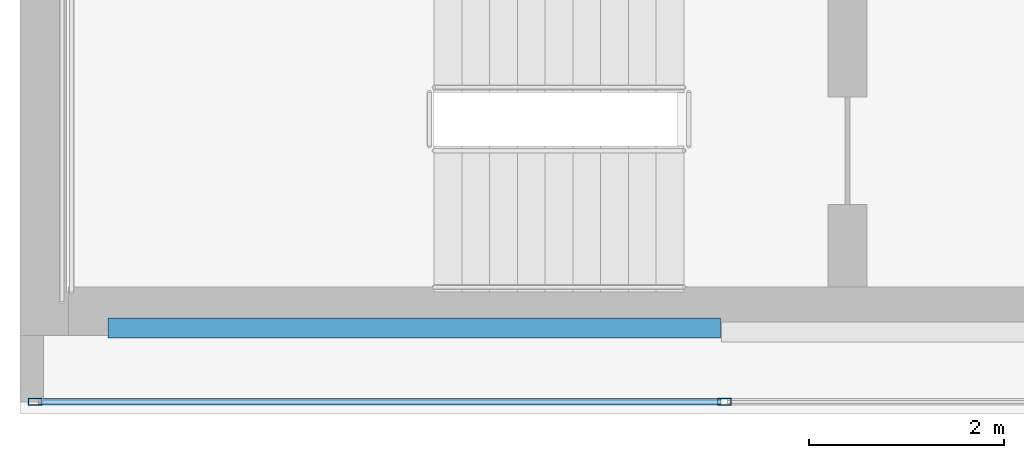
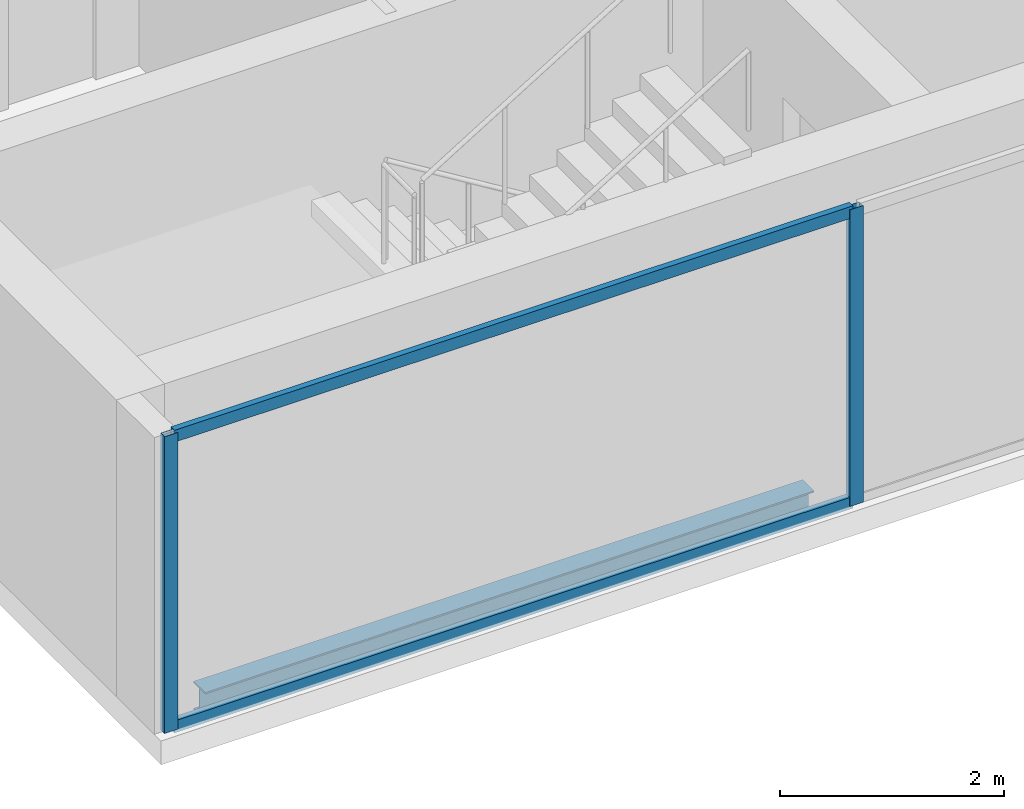
# One storey, part 2 of 23: 4 members, 1 beam, 1 element without a shape of its own.
"""IFC4 building model written with IfcOpenShell, lengths in metres."""

from ifc_helpers import new_model, si_unit, direction, frame, origin, origin_2d, place, context, subcontext, project, spatial, hollow_rectangle, i_section, extrude, material, material_profile, profile_set, type_object, element, aggregate, save


model = new_model("IFC4")

# Units and contexts
model_context = context("Model", 3, precision=1e-05, world=origin(), true_north=direction((0.0, 1.0)))
body_context = subcontext(model_context, "Body", "Model", "MODEL_VIEW")
ifc_project = project(units=[si_unit("LENGTHUNIT", "METRE"), si_unit("AREAUNIT", "SQUARE_METRE"), si_unit("VOLUMEUNIT", "CUBIC_METRE"), si_unit("PLANEANGLEUNIT", "RADIAN"), si_unit("MASSUNIT", "GRAM", prefix="KILO")], contexts=[model_context])

# Site, building, storey
site_placement = place(None, origin())
site = spatial("IfcSite", under=ifc_project, at=site_placement, CompositionType="ELEMENT")
building_placement = place(site_placement, origin())
building = spatial("IfcBuilding", under=site, at=building_placement, Name="Cobrela Telecom Tower", CompositionType="ELEMENT")
storey_placement = place(building_placement, frame((0.0, 0.0, 283.14990234375)))
storey = spatial("IfcBuildingStorey", under=building, at=storey_placement, Name="L74", CompositionType="ELEMENT", Elevation=283.14990234375)

# Beam
ifc_material_1 = material(Name="Steel ASTM A992 Grade 50", Category="steel")
ifc_material_profile_1 = material_profile(ifc_material_1, i_section(OverallWidth=0.205078125, OverallDepth=0.31005859375, WebThickness=0.009521484375, FlangeThickness=0.016357421875, FilletRadius=0.010986328125, at=origin_2d()), Name="W12X50")
ifc_profile_set_1 = profile_set([ifc_material_profile_1], Name="Steel ASTM A992 Grade 50")
beam_type = type_object("IfcBeamType", Name="BM-SPAND-07", PredefinedType="SPANDREL", material=ifc_profile_set_1)
beam_placement = place(storey_placement, frame((0.905029296875, 7.280029296875, -0.414794921875), z_axis=(1.0, 0.0, 0.0), x_axis=(0.0, 1.0, 0.0)))
element("IfcBeam", 1, at=beam_placement, inside=storey, type_object=beam_type, Name="L74 Perimeter Spandrel X01", PredefinedType="SPANDREL", context=body_context, shape_type="SweptSolid", body=[
    extrude(i_section(OverallWidth=0.205078125, OverallDepth=0.31005859375, WebThickness=0.009521484375, FlangeThickness=0.016357421875, FilletRadius=0.010986328125, at=origin_2d()), origin(), (0.0, 0.0, 1.0), 6.2900390625),
])

# Curtain wall, members
ifc_material_2 = material(Name="Anodized Bronze Aluminium 6063-T6", Category="aluminium")
curtain_wall_type = type_object("IfcCurtainWallType", Name="CW-SYS-OFF-HI", PredefinedType="USERDEFINED", material=ifc_material_2)
curtain_wall_placement = place(storey_placement, origin())
curtain_wall = element("IfcCurtainWall", 2, at=curtain_wall_placement, inside=storey, type_object=curtain_wall_type, Name="L74 Unitised Bronze Curtain Wall 15", ObjectType="UNITISED CURTAIN WALL", PredefinedType="USERDEFINED")
ifc_material_profile_2 = material_profile(ifc_material_2, hollow_rectangle(XDim=0.070068359375, YDim=0.139892578125, WallThickness=0.00390625, at=origin_2d()), Name="ALU 70x140x4")
ifc_profile_set_2 = profile_set([ifc_material_profile_2], Name="Anodized Bronze Aluminium 6063-T6")
member_type_1 = type_object("IfcMemberType", Name="CW-SYS-OFF-HI-MUL", PredefinedType="MULLION", material=ifc_profile_set_2)
member_1_placement = place(storey_placement, frame((7.235107421875, 6.52001953125, 0.0), z_axis=(0.0, 0.0, 1.0), x_axis=(0.0, -1.0, 0.0)))
member_1 = element("IfcMember", 3, at=member_1_placement, type_object=member_type_1, Name="CW-OFF-HI mullion 6", PredefinedType="MULLION", context=body_context, shape_type="SweptSolid", body=[
    extrude(hollow_rectangle(XDim=0.070068359375, YDim=0.139892578125, WallThickness=0.00390625, at=origin_2d()), origin(), (0.0, 0.0, 1.0), 3.239990234375),
])
member_2_placement = place(storey_placement, frame((0.155029296875, 6.52001953125, 0.0), z_axis=(0.0, 0.0, 1.0), x_axis=(0.0, -1.0, 0.0)))
member_2 = element("IfcMember", 4, at=member_2_placement, type_object=member_type_1, Name="CW-OFF-HI mullion 7", PredefinedType="MULLION", context=body_context, shape_type="SweptSolid", body=[
    extrude(hollow_rectangle(XDim=0.070068359375, YDim=0.139892578125, WallThickness=0.00390625, at=origin_2d()), origin(), (0.0, 0.0, 1.0), 3.239990234375),
])
ifc_material_profile_3 = material_profile(ifc_material_2, hollow_rectangle(XDim=0.06494140625, YDim=0.1298828125, WallThickness=0.00390625, at=origin_2d()), Name="ALU 65x130x4")
ifc_profile_set_3 = profile_set([ifc_material_profile_3], Name="Anodized Bronze Aluminium 6063-T6")
member_type_2 = type_object("IfcMemberType", Name="CW-SYS-OFF-HI-TRN", PredefinedType="USERDEFINED", material=ifc_profile_set_3)
member_3_placement = place(storey_placement, frame((7.199951171875, 6.52001953125, 0.03271484375), z_axis=(-1.0, 0.0, 0.0), x_axis=(0.0, -1.0, 0.0)))
member_3 = element("IfcMember", 5, at=member_3_placement, type_object=member_type_2, Name="CW-OFF-HI transom 6.1", ObjectType="TRANSOM", PredefinedType="USERDEFINED", context=body_context, shape_type="SweptSolid", body=[
    extrude(hollow_rectangle(XDim=0.06494140625, YDim=0.1298828125, WallThickness=0.00390625, at=origin_2d()), origin(), (0.0, 0.0, 1.0), 7.010009765625),
])
member_4_placement = place(storey_placement, frame((7.199951171875, 6.52001953125, 3.20751953125), z_axis=(-1.0, 0.0, 0.0), x_axis=(0.0, -1.0, 0.0)))
member_4 = element("IfcMember", 6, at=member_4_placement, type_object=member_type_2, Name="CW-OFF-HI transom 6.2", ObjectType="TRANSOM", PredefinedType="USERDEFINED", context=body_context, shape_type="SweptSolid", body=[
    extrude(hollow_rectangle(XDim=0.06494140625, YDim=0.1298828125, WallThickness=0.00390625, at=origin_2d()), origin(), (0.0, 0.0, 1.0), 7.010009765625),
])
aggregate(curtain_wall, [member_1, member_2, member_3, member_4])

save(model, "model.ifc")
